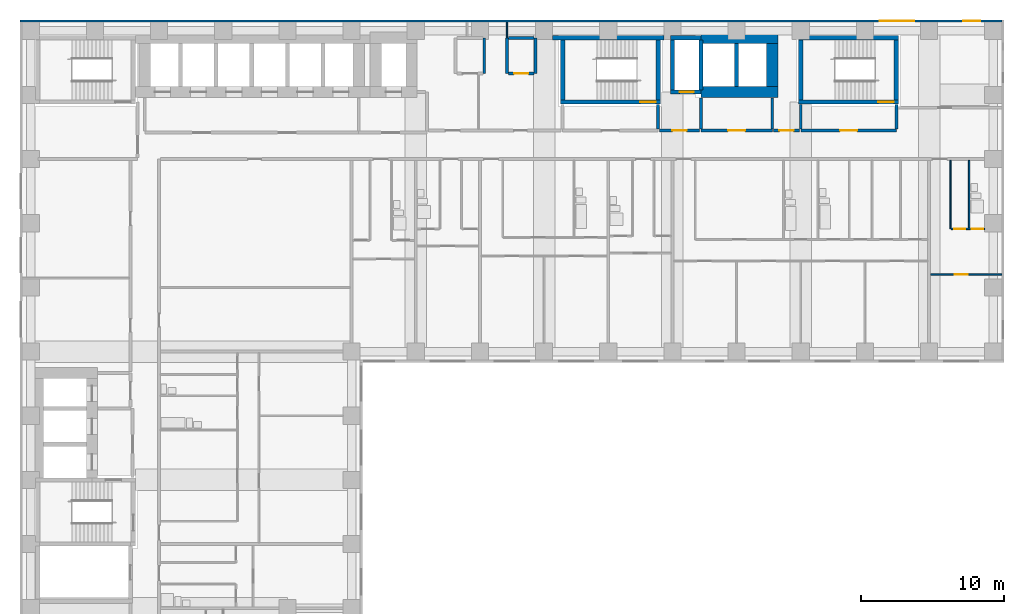
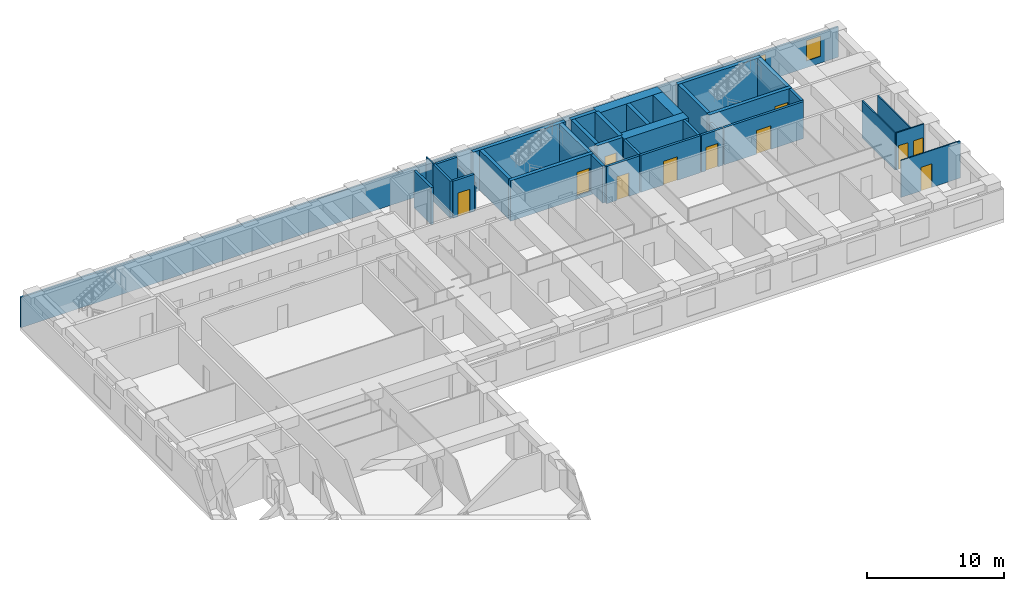
# One storey, part 8 of 12: 36 walls, 11 doors, 2 windows, 13 openings.
"""IFC4 building model written with IfcOpenShell, lengths in metres."""

from ifc_helpers import new_model, si_unit, direction, frame, frame_2d, origin, place, context, subcontext, project, spatial, rectangle, extrude, material, layer, layer_set, type_object, element, fill, save


model = new_model("IFC4")

# Units and contexts
model_context = context("Model", 3, precision=1e-05, world=origin(), true_north=direction((0.0, 1.0)))
body_context = subcontext(model_context, "Body", "Model", "MODEL_VIEW")
ifc_project = project(units=[si_unit("LENGTHUNIT", "METRE"), si_unit("AREAUNIT", "SQUARE_METRE"), si_unit("VOLUMEUNIT", "CUBIC_METRE"), si_unit("PLANEANGLEUNIT", "RADIAN"), si_unit("MASSUNIT", "GRAM", prefix="KILO")], contexts=[model_context])

# Site, building, storey
site_placement = place(None, origin())
site = spatial("IfcSite", under=ifc_project, at=site_placement, CompositionType="ELEMENT")
building_placement = place(site_placement, origin())
building = spatial("IfcBuilding", under=site, at=building_placement, Name="Firuza Court", CompositionType="ELEMENT")
storey_placement = place(building_placement, frame((0.0, 0.0, 43.39990234375)))
storey = spatial("IfcBuildingStorey", under=building, at=storey_placement, Name="L09", CompositionType="ELEMENT", Elevation=43.39990234375)

# Walls
ifc_material_1 = material(Name="Moisture-resistant gypsum board partition")
ifc_layer_1 = layer(ifc_material_1, 0.10009765625)
ifc_layer_set_1 = layer_set([ifc_layer_1], Name="Moisture-resistant gypsum board partition")
wall_type_1 = type_object("IfcWallType", Name="Bathroom partition 100", PredefinedType="PLUMBINGWALL", material=ifc_layer_set_1)
wall_1_placement = place(storey_placement, frame((65.800048828125, 44.64990234375, 0.0), z_axis=(0.0, 0.0, 1.0), x_axis=(0.0, 1.0, 0.0)))
element("IfcWall", 1, at=wall_1_placement, inside=storey, type_object=wall_type_1, Name="Bathroom partition 100 L09", PredefinedType="PLUMBINGWALL", context=body_context, shape_type="SweptSolid", body=[
    extrude(rectangle(XDim=4.75, YDim=0.10009765625, at=frame_2d((2.375, 0.0))), origin(), (0.0, 0.0, 1.0), 3.300048828125),
])
ifc_material_2 = material(Name="Concrete C60/75", Category="concrete")
ifc_layer_2 = layer(ifc_material_2, 0.300048828125)
ifc_layer_set_2 = layer_set([ifc_layer_2], Name="Concrete C60/75")
wall_type_2 = type_object("IfcWallType", Name="Core wall 300 C60/75", PredefinedType="SHEAR", material=ifc_layer_set_2)
wall_2_placement = place(storey_placement, frame((36.60009765625, 58.0, -0.2998046875), z_axis=(0.0, 0.0, 1.0), x_axis=(1.0, 0.0, 0.0)))
element("IfcWall", 2, at=wall_2_placement, inside=storey, type_object=wall_type_2, Name="Core wall stair L09", PredefinedType="SHEAR", context=body_context, shape_type="SweptSolid", body=[
    extrude(rectangle(XDim=7.7998046875, YDim=0.300048828125, at=frame_2d((3.89990234375, 0.0))), origin(), (0.0, 0.0, 1.0), 3.599853515625),
])

# Wall, opening, door
wall_3_placement = place(storey_placement, frame((37.14990234375, 53.5, -0.2998046875), z_axis=(0.0, 0.0, 1.0), x_axis=(1.0, 0.0, 0.0)))
wall_3 = element("IfcWall", 3, at=wall_3_placement, inside=storey, type_object=wall_type_2, Name="Core wall stair L09", PredefinedType="SHEAR", context=body_context, shape_type="SweptSolid", body=[
    extrude(rectangle(XDim=7.0, YDim=0.300048828125, at=frame_2d((3.5, 0.0))), origin(), (0.0, 0.0, 1.0), 3.599853515625),
])
opening_1_placement = place(wall_3_placement, frame((5.580078125, 0.0, 0.300048828125)))
opening_1 = element("IfcOpeningElement", 4, at=opening_1_placement, cuts=wall_3, Name="Opening D09013", PredefinedType="OPENING", context=body_context, shape_type="SweptSolid", body=[
    extrude(rectangle(XDim=1.10009765625, YDim=2.10009765625, at=frame_2d((0.550048828125, 1.050048828125))), frame((0.0, 0.162109375, 0.0), z_axis=(0.0, -1.0, 0.0), x_axis=(1.0, 0.0, 0.0)), (0.0, 0.0, 1.0), 0.323974609375),
])
ifc_material_3 = material(Name="Timber door leaf in hardwood frame", Category="wood")
door_type_1 = type_object("IfcDoorType", Name="Stair door 1100", OperationType="SINGLE_SWING_LEFT", PredefinedType="DOOR", material=ifc_material_3)
door_1_placement = place(opening_1_placement, origin())
door_1 = element("IfcDoor", 5, at=door_1_placement, inside=storey, type_object=door_type_1, Name="Stair door S1", OperationType="SINGLE_SWING_RIGHT", OverallHeight=2.10009765625, OverallWidth=1.10009765625, PredefinedType="DOOR", context=body_context, shape_type="SweptSolid", body=[
    extrude(rectangle(XDim=1.10009765625, YDim=2.10009765625, at=frame_2d((0.550048828125, 1.050048828125))), frame((0.0, 0.02490234375, 0.0), z_axis=(0.0, -1.0, 0.0), x_axis=(1.0, 0.0, 0.0)), (0.0, 0.0, 1.0), 0.050048828125),
])
fill(opening_1, door_1)

# Walls
for number, where, z_axis, x_axis, name in (
    (6, (37.300048828125, 53.64990234375, -0.2998046875), (0.0, 0.0, 1.0), (0.0, 1.0, 0.0), "Core wall stair L09"),
    (7, (44.0, 53.64990234375, -0.2998046875), (0.0, 0.0, 1.0), (0.0, 1.0, 0.0), "Core wall stair L09"),
):
    element("IfcWall", number, at=place(storey_placement, frame(where, z_axis=z_axis, x_axis=x_axis)), inside=storey, type_object=wall_type_2, Name=name, PredefinedType="SHEAR", context=body_context, shape_type="SweptSolid", body=[
        extrude(rectangle(XDim=4.2001953125, YDim=0.300048828125, at=frame_2d((2.10009765625, 0.0))), origin(), (0.0, 0.0, 1.0), 3.599853515625),
    ])

# Wall, opening, door
wall_4_placement = place(storey_placement, frame((44.85009765625, 54.199951171875, -0.2998046875), z_axis=(0.0, 0.0, 1.0), x_axis=(1.0, 0.0, 0.0)))
wall_4 = element("IfcWall", 8, at=wall_4_placement, inside=storey, type_object=wall_type_2, Name="Core wall riser L09", PredefinedType="SHEAR", context=body_context, shape_type="SweptSolid", body=[
    extrude(rectangle(XDim=2.14990234375, YDim=0.300048828125, at=frame_2d((1.074951171875, 0.0))), origin(), (0.0, 0.0, 1.0), 3.599853515625),
])
opening_2_placement = place(wall_4_placement, frame((0.64990234375, 0.0, 0.300048828125)))
opening_2 = element("IfcOpeningElement", 9, at=opening_2_placement, cuts=wall_4, Name="Opening D09011", PredefinedType="OPENING", context=body_context, shape_type="SweptSolid", body=[
    extrude(rectangle(XDim=1.0, YDim=2.10009765625, at=frame_2d((0.5, 1.050048828125))), frame((0.0, 0.162109375, 0.0), z_axis=(0.0, -1.0, 0.0), x_axis=(1.0, 0.0, 0.0)), (0.0, 0.0, 1.0), 0.323974609375),
])
ifc_material_4 = material(Name="Timber door leaf in hardwood frame", Category="wood")
door_type_2 = type_object("IfcDoorType", Name="Riser door 1000", OperationType="SINGLE_SWING_LEFT", PredefinedType="DOOR", material=ifc_material_4)
door_2_placement = place(opening_2_placement, origin())
door_2 = element("IfcDoor", 10, at=door_2_placement, inside=storey, type_object=door_type_2, Name="Riser door R3", OperationType="SINGLE_SWING_LEFT", OverallHeight=2.10009765625, OverallWidth=1.0, PredefinedType="DOOR", context=body_context, shape_type="SweptSolid", body=[
    extrude(rectangle(XDim=1.0, YDim=2.10009765625, at=frame_2d((0.5, 1.050048828125))), frame((0.0, 0.02490234375, 0.0), z_axis=(0.0, -1.0, 0.0), x_axis=(1.0, 0.0, 0.0)), (0.0, 0.0, 1.0), 0.050048828125),
])
fill(opening_2, door_2)

# Walls
wall_5_placement = place(storey_placement, frame((44.85009765625, 58.0, -0.2998046875), z_axis=(0.0, 0.0, 1.0), x_axis=(1.0, 0.0, 0.0)))
element("IfcWall", 11, at=wall_5_placement, inside=storey, type_object=wall_type_2, Name="Core wall riser L09", PredefinedType="SHEAR", context=body_context, shape_type="SweptSolid", body=[
    extrude(rectangle(XDim=2.14990234375, YDim=0.300048828125, at=frame_2d((1.074951171875, 0.0))), origin(), (0.0, 0.0, 1.0), 3.599853515625),
])
for number, where, z_axis, x_axis, name in (
    (12, (45.0, 54.35009765625, -0.2998046875), (0.0, 0.0, 1.0), (0.0, 1.0, 0.0), "Core wall riser L09"),
    (13, (47.0, 54.35009765625, -0.2998046875), (0.0, 0.0, 1.0), (0.0, 1.0, 0.0), "Core wall lift shaft L09"),
):
    element("IfcWall", number, at=place(storey_placement, frame(where, z_axis=z_axis, x_axis=x_axis)), inside=storey, type_object=wall_type_2, Name=name, PredefinedType="SHEAR", context=body_context, shape_type="SweptSolid", body=[
        extrude(rectangle(XDim=3.5, YDim=0.300048828125, at=frame_2d((1.75, 0.0))), origin(), (0.0, 0.0, 1.0), 3.599853515625),
    ])
wall_6_placement = place(storey_placement, frame((49.5, 54.60009765625, -0.2998046875), z_axis=(0.0, 0.0, 1.0), x_axis=(0.0, 1.0, 0.0)))
element("IfcWall", 14, at=wall_6_placement, inside=storey, type_object=wall_type_2, Name="Core wall lift shaft L09", PredefinedType="SHEAR", context=body_context, shape_type="SweptSolid", body=[
    extrude(rectangle(XDim=3.0, YDim=0.300048828125, at=frame_2d((1.5, 0.0))), origin(), (0.0, 0.0, 1.0), 3.599853515625),
])

# Wall, opening, door
wall_7_placement = place(storey_placement, frame((53.85009765625, 53.5, -0.2998046875), z_axis=(0.0, 0.0, 1.0), x_axis=(1.0, 0.0, 0.0)))
wall_7 = element("IfcWall", 15, at=wall_7_placement, inside=storey, type_object=wall_type_2, Name="Core wall stair L09", PredefinedType="SHEAR", context=body_context, shape_type="SweptSolid", body=[
    extrude(rectangle(XDim=7.0, YDim=0.300048828125, at=frame_2d((3.5, 0.0))), origin(), (0.0, 0.0, 1.0), 3.599853515625),
])
opening_3_placement = place(wall_7_placement, frame((5.580078125, 0.0, 0.300048828125)))
opening_3 = element("IfcOpeningElement", 16, at=opening_3_placement, cuts=wall_7, Name="Opening D09017", PredefinedType="OPENING", context=body_context, shape_type="SweptSolid", body=[
    extrude(rectangle(XDim=1.10009765625, YDim=2.10009765625, at=frame_2d((0.550048828125, 1.050048828125))), frame((0.0, 0.162109375, 0.0), z_axis=(0.0, -1.0, 0.0), x_axis=(1.0, 0.0, 0.0)), (0.0, 0.0, 1.0), 0.323974609375),
])
door_3_placement = place(opening_3_placement, origin())
door_3 = element("IfcDoor", 17, at=door_3_placement, inside=storey, type_object=door_type_1, Name="Stair door S4", OperationType="SINGLE_SWING_RIGHT", OverallHeight=2.10009765625, OverallWidth=1.10009765625, PredefinedType="DOOR", context=body_context, shape_type="SweptSolid", body=[
    extrude(rectangle(XDim=1.10009765625, YDim=2.10009765625, at=frame_2d((0.550048828125, 1.050048828125))), frame((0.0, 0.02490234375, 0.0), z_axis=(0.0, -1.0, 0.0), x_axis=(1.0, 0.0, 0.0)), (0.0, 0.0, 1.0), 0.050048828125),
])
fill(opening_3, door_3)

# Walls
wall_8_placement = place(storey_placement, frame((53.85009765625, 58.0, -0.2998046875), z_axis=(0.0, 0.0, 1.0), x_axis=(1.0, 0.0, 0.0)))
element("IfcWall", 18, at=wall_8_placement, inside=storey, type_object=wall_type_2, Name="Core wall stair L09", PredefinedType="SHEAR", context=body_context, shape_type="SweptSolid", body=[
    extrude(rectangle(XDim=7.0, YDim=0.300048828125, at=frame_2d((3.5, 0.0))), origin(), (0.0, 0.0, 1.0), 3.599853515625),
])
for number, where, z_axis, x_axis, name in (
    (19, (54.0, 53.64990234375, -0.2998046875), (0.0, 0.0, 1.0), (0.0, 1.0, 0.0), "Core wall stair L09"),
    (20, (60.699951171875, 53.64990234375, -0.2998046875), (0.0, 0.0, 1.0), (0.0, 1.0, 0.0), "Core wall stair L09"),
):
    element("IfcWall", number, at=place(storey_placement, frame(where, z_axis=z_axis, x_axis=x_axis)), inside=storey, type_object=wall_type_2, Name=name, PredefinedType="SHEAR", context=body_context, shape_type="SweptSolid", body=[
        extrude(rectangle(XDim=4.2001953125, YDim=0.300048828125, at=frame_2d((2.10009765625, 0.0))), origin(), (0.0, 0.0, 1.0), 3.599853515625),
    ])
ifc_layer_3 = layer(ifc_material_2, 0.800048828125)
ifc_layer_set_3 = layer_set([ifc_layer_3], Name="Concrete C60/75")
wall_type_3 = type_object("IfcWallType", Name="Core wall 800 C60/75", PredefinedType="SHEAR", material=ifc_layer_set_3)
for number, where, z_axis, x_axis, name in (
    (21, (47.0, 54.199951171875, -0.2998046875), (0.0, 0.0, 1.0), (1.0, 0.0, 0.0), "Core wall lift shaft L09"),
    (22, (47.0, 58.0, -0.2998046875), (0.0, 0.0, 1.0), (1.0, 0.0, 0.0), "Core wall lift shaft L09"),
):
    element("IfcWall", number, at=place(storey_placement, frame(where, z_axis=z_axis, x_axis=x_axis)), inside=storey, type_object=wall_type_3, Name=name, PredefinedType="SHEAR", context=body_context, shape_type="SweptSolid", body=[
        extrude(rectangle(XDim=5.39990234375, YDim=0.800048828125, at=frame_2d((2.699951171875, 0.0))), origin(), (0.0, 0.0, 1.0), 3.599853515625),
    ])
wall_9_placement = place(storey_placement, frame((52.0, 54.60009765625, -0.2998046875), z_axis=(0.0, 0.0, 1.0), x_axis=(0.0, 1.0, 0.0)))
element("IfcWall", 23, at=wall_9_placement, inside=storey, type_object=wall_type_3, Name="Core wall lift shaft L09", PredefinedType="SHEAR", context=body_context, shape_type="SweptSolid", body=[
    extrude(rectangle(XDim=3.0, YDim=0.800048828125, at=frame_2d((1.5, 0.0))), origin(), (0.0, 0.0, 1.0), 3.599853515625),
])

# Wall, opening, door
ifc_material_5 = material(Name="Blockwork, plastered both sides", Category="masonry")
ifc_layer_4 = layer(ifc_material_5, 0.199951171875)
ifc_layer_set_4 = layer_set([ifc_layer_4], Name="Blockwork, plastered both sides")
wall_type_4 = type_object("IfcWallType", Name="Corridor wall 200", PredefinedType="PARTITIONING", material=ifc_layer_set_4)
wall_10_placement = place(storey_placement, frame((44.10009765625, 51.5, 0.0), z_axis=(0.0, 0.0, 1.0), x_axis=(1.0, 0.0, 0.0)))
wall_10 = element("IfcWall", 24, at=wall_10_placement, inside=storey, type_object=wall_type_4, Name="Corridor wall 200 L09", PredefinedType="PARTITIONING", context=body_context, shape_type="SweptSolid", body=[
    extrude(rectangle(XDim=2.7998046875, YDim=0.199951171875, at=frame_2d((1.39990234375, 0.0))), origin(), (0.0, 0.0, 1.0), 3.300048828125),
])
opening_4_placement = place(wall_10_placement, frame((0.89990234375, 0.0, 0.0)))
opening_4 = element("IfcOpeningElement", 25, at=opening_4_placement, cuts=wall_10, Name="Opening D09078", PredefinedType="OPENING", context=body_context, shape_type="SweptSolid", body=[
    extrude(rectangle(XDim=1.0, YDim=2.10009765625, at=frame_2d((0.5, 1.050048828125))), frame((0.0, 0.11181640625, 0.0), z_axis=(0.0, -1.0, 0.0), x_axis=(1.0, 0.0, 0.0)), (0.0, 0.0, 1.0), 0.223876953125),
])
ifc_material_6 = material(Name="Timber door leaf in hardwood frame", Category="wood")
door_type_3 = type_object("IfcDoorType", Name="Store door 1000", OperationType="SINGLE_SWING_LEFT", PredefinedType="DOOR", material=ifc_material_6)
door_4_placement = place(opening_4_placement, origin())
door_4 = element("IfcDoor", 26, at=door_4_placement, inside=storey, type_object=door_type_3, Name="Valet store door", OperationType="SINGLE_SWING_LEFT", OverallHeight=2.10009765625, OverallWidth=1.0, PredefinedType="DOOR", context=body_context, shape_type="SweptSolid", body=[
    extrude(rectangle(XDim=1.0, YDim=2.10009765625, at=frame_2d((0.5, 1.050048828125))), frame((0.0, 0.02490234375, 0.0), z_axis=(0.0, -1.0, 0.0), x_axis=(1.0, 0.0, 0.0)), (0.0, 0.0, 1.0), 0.050048828125),
])
fill(opening_4, door_4)

wall_11_placement = place(storey_placement, frame((52.10009765625, 51.5, 0.0), z_axis=(0.0, 0.0, 1.0), x_axis=(1.0, 0.0, 0.0)))
wall_11 = element("IfcWall", 27, at=wall_11_placement, inside=storey, type_object=wall_type_4, Name="Corridor wall 200 L09", PredefinedType="PARTITIONING", context=body_context, shape_type="SweptSolid", body=[
    extrude(rectangle(XDim=1.7998046875, YDim=0.199951171875, at=frame_2d((0.89990234375, 0.0))), origin(), (0.0, 0.0, 1.0), 3.300048828125),
])
opening_5_placement = place(wall_11_placement, frame((0.39990234375, 0.0, 0.0)))
opening_5 = element("IfcOpeningElement", 28, at=opening_5_placement, cuts=wall_11, Name="Opening D09079", PredefinedType="OPENING", context=body_context, shape_type="SweptSolid", body=[
    extrude(rectangle(XDim=1.0, YDim=2.10009765625, at=frame_2d((0.5, 1.050048828125))), frame((0.0, 0.11181640625, 0.0), z_axis=(0.0, -1.0, 0.0), x_axis=(1.0, 0.0, 0.0)), (0.0, 0.0, 1.0), 0.223876953125),
])
door_5_placement = place(opening_5_placement, origin())
door_5 = element("IfcDoor", 29, at=door_5_placement, inside=storey, type_object=door_type_3, Name="Cleaner's store door", OperationType="SINGLE_SWING_LEFT", OverallHeight=2.10009765625, OverallWidth=1.0, PredefinedType="DOOR", context=body_context, shape_type="SweptSolid", body=[
    extrude(rectangle(XDim=1.0, YDim=2.10009765625, at=frame_2d((0.5, 1.050048828125))), frame((0.0, 0.02490234375, 0.0), z_axis=(0.0, -1.0, 0.0), x_axis=(1.0, 0.0, 0.0)), (0.0, 0.0, 1.0), 0.050048828125),
])
fill(opening_5, door_5)

ifc_material_7 = material(Name="Timber stud partition, plasterboard both sides", Category="wood")
ifc_layer_5 = layer(ifc_material_7, 0.10009765625)
ifc_layer_set_5 = layer_set([ifc_layer_5], Name="Timber stud partition, plasterboard both sides")
wall_type_5 = type_object("IfcWallType", Name="Partition wall 100", PredefinedType="PARTITIONING", material=ifc_layer_set_5)
wall_12_placement = place(storey_placement, frame((63.10009765625, 41.39990234375, 0.0), z_axis=(0.0, 0.0, 1.0), x_axis=(1.0, 0.0, 0.0)))
wall_12 = element("IfcWall", 30, at=wall_12_placement, inside=storey, type_object=wall_type_5, Name="Partition wall 100 L09", PredefinedType="PARTITIONING", context=body_context, shape_type="SweptSolid", body=[
    extrude(rectangle(XDim=5.0, YDim=0.10009765625, at=frame_2d((2.5, 0.0))), origin(), (0.0, 0.0, 1.0), 3.300048828125),
])
opening_6_placement = place(wall_12_placement, frame((1.699951171875, 0.0, 0.0)))
opening_6 = element("IfcOpeningElement", 31, at=opening_6_placement, cuts=wall_12, Name="Opening D09043", PredefinedType="OPENING", context=body_context, shape_type="SweptSolid", body=[
    extrude(rectangle(XDim=0.89990234375, YDim=2.10009765625, at=frame_2d((0.449951171875, 1.050048828125))), frame((0.0, 0.06201171875, 0.0), z_axis=(0.0, -1.0, 0.0), x_axis=(1.0, 0.0, 0.0)), (0.0, 0.0, 1.0), 0.1240234375),
])
ifc_material_8 = material(Name="Timber door leaf in hardwood frame", Category="wood")
door_type_4 = type_object("IfcDoorType", Name="Room door 900", OperationType="SINGLE_SWING_LEFT", PredefinedType="DOOR", material=ifc_material_8)
door_6_placement = place(opening_6_placement, frame((0.89990234375, 0.0, 0.0), z_axis=(0.0, 0.0, 1.0), x_axis=(-1.0, 0.0, 0.0)))
door_6 = element("IfcDoor", 32, at=door_6_placement, inside=storey, type_object=door_type_4, Name="Studio room door", OperationType="SINGLE_SWING_RIGHT", OverallHeight=2.10009765625, OverallWidth=0.89990234375, PredefinedType="DOOR", context=body_context, shape_type="SweptSolid", body=[
    extrude(rectangle(XDim=0.89990234375, YDim=2.10009765625, at=frame_2d((0.449951171875, 1.050048828125))), frame((0.0, 0.02490234375, 0.0), z_axis=(0.0, -1.0, 0.0), x_axis=(1.0, 0.0, 0.0)), (0.0, 0.0, 1.0), 0.050048828125),
])
fill(opening_6, door_6)

# Wall
wall_13_placement = place(storey_placement, frame((64.5, 44.60009765625, 0.0), z_axis=(0.0, 0.0, 1.0), x_axis=(0.0, 1.0, 0.0)))
element("IfcWall", 33, at=wall_13_placement, inside=storey, type_object=wall_type_5, Name="Partition wall 100 L09", PredefinedType="PARTITIONING", context=body_context, shape_type="SweptSolid", body=[
    extrude(rectangle(XDim=4.7998046875, YDim=0.10009765625, at=frame_2d((2.39990234375, 0.0))), origin(), (0.0, 0.0, 1.0), 3.300048828125),
])

# Wall, openings, doors
wall_14_placement = place(storey_placement, frame((64.550048828125, 44.60009765625, 0.0), z_axis=(0.0, 0.0, 1.0), x_axis=(1.0, 0.0, 0.0)))
wall_14 = element("IfcWall", 34, at=wall_14_placement, inside=storey, type_object=wall_type_5, Name="Partition wall 100 L09", PredefinedType="PARTITIONING", context=body_context, shape_type="SweptSolid", body=[
    extrude(rectangle(XDim=2.349853515625, YDim=0.10009765625, at=frame_2d((1.1748046875, 0.0))), origin(), (0.0, 0.0, 1.0), 3.300048828125),
])
opening_7_placement = place(wall_14_placement, frame((1.449951171875, 0.0, 0.0)))
opening_7 = element("IfcOpeningElement", 35, at=opening_7_placement, cuts=wall_14, Name="Opening D09067", PredefinedType="OPENING", context=body_context, shape_type="SweptSolid", body=[
    extrude(rectangle(XDim=0.800048828125, YDim=2.10009765625, at=frame_2d((0.39990234375, 1.050048828125))), frame((0.0, 0.06201171875, 0.0), z_axis=(0.0, -1.0, 0.0), x_axis=(1.0, 0.0, 0.0)), (0.0, 0.0, 1.0), 0.1240234375),
])
opening_8_placement = place(wall_14_placement, frame((0.199951171875, 0.0, 0.0)))
opening_8 = element("IfcOpeningElement", 36, at=opening_8_placement, cuts=wall_14, Name="Opening D09068", PredefinedType="OPENING", context=body_context, shape_type="SweptSolid", body=[
    extrude(rectangle(XDim=0.800048828125, YDim=2.10009765625, at=frame_2d((0.39990234375, 1.050048828125))), frame((0.0, 0.06201171875, 0.0), z_axis=(0.0, -1.0, 0.0), x_axis=(1.0, 0.0, 0.0)), (0.0, 0.0, 1.0), 0.1240234375),
])
ifc_material_9 = material(Name="Timber door leaf in hardwood frame", Category="wood")
door_type_5 = type_object("IfcDoorType", Name="Bathroom door 800", OperationType="SINGLE_SWING_LEFT", PredefinedType="DOOR", material=ifc_material_9)
door_7_placement = place(opening_7_placement, origin())
door_7 = element("IfcDoor", 37, at=door_7_placement, inside=storey, type_object=door_type_5, Name="Bathroom door", OperationType="SINGLE_SWING_RIGHT", OverallHeight=2.10009765625, OverallWidth=0.800048828125, PredefinedType="DOOR", context=body_context, shape_type="SweptSolid", body=[
    extrude(rectangle(XDim=0.800048828125, YDim=2.10009765625, at=frame_2d((0.39990234375, 1.050048828125))), frame((0.0, 0.02490234375, 0.0), z_axis=(0.0, -1.0, 0.0), x_axis=(1.0, 0.0, 0.0)), (0.0, 0.0, 1.0), 0.050048828125),
])
fill(opening_7, door_7)
ifc_material_10 = material(Name="Timber door leaf in hardwood frame", Category="wood")
door_type_6 = type_object("IfcDoorType", Name="Room door 800", OperationType="SINGLE_SWING_LEFT", PredefinedType="DOOR", material=ifc_material_10)
door_8_placement = place(opening_8_placement, origin())
door_8 = element("IfcDoor", 38, at=door_8_placement, inside=storey, type_object=door_type_6, Name="Kitchen door", OperationType="SINGLE_SWING_LEFT", OverallHeight=2.10009765625, OverallWidth=0.800048828125, PredefinedType="DOOR", context=body_context, shape_type="SweptSolid", body=[
    extrude(rectangle(XDim=0.800048828125, YDim=2.10009765625, at=frame_2d((0.39990234375, 1.050048828125))), frame((0.0, 0.02490234375, 0.0), z_axis=(0.0, -1.0, 0.0), x_axis=(1.0, 0.0, 0.0)), (0.0, 0.0, 1.0), 0.050048828125),
])
fill(opening_8, door_8)

# Walls
wall_15_placement = place(storey_placement, frame((33.39990234375, 58.0, 0.0), z_axis=(0.0, 0.0, 1.0), x_axis=(0.0, 1.0, 0.0)))
element("IfcWall", 39, at=wall_15_placement, inside=storey, type_object=wall_type_5, Name="Partition wall 100 L09", PredefinedType="PARTITIONING", context=body_context, shape_type="SweptSolid", body=[
    extrude(rectangle(XDim=1.10009765625, YDim=0.10009765625, at=frame_2d((0.550048828125, 0.0))), origin(), (0.0, 0.0, 1.0), 3.300048828125),
])
ifc_material_11 = material(Name="Blockwork, fire-rated", Category="masonry")
ifc_layer_6 = layer(ifc_material_11, 0.199951171875)
ifc_layer_set_6 = layer_set([ifc_layer_6], Name="Blockwork, fire-rated")
wall_type_6 = type_object("IfcWallType", Name="Plant room wall 200", PredefinedType="PARTITIONING", material=ifc_layer_set_6)
for number, where, z_axis, x_axis, name in (
    (40, (31.800048828125, 55.5, 0.0), (0.0, 0.0, 1.0), (0.0, 1.0, 0.0), "Plant room wall 200 L09"),
    (41, (33.39990234375, 55.5, 0.0), (0.0, 0.0, 1.0), (0.0, 1.0, 0.0), "Plant room wall 200 L09"),
):
    element("IfcWall", number, at=place(storey_placement, frame(where, z_axis=z_axis, x_axis=x_axis)), inside=storey, type_object=wall_type_6, Name=name, PredefinedType="PARTITIONING", context=body_context, shape_type="SweptSolid", body=[
        extrude(rectangle(XDim=2.5, YDim=0.199951171875, at=frame_2d((1.25, 0.0))), origin(), (0.0, 0.0, 1.0), 3.300048828125),
    ])

# Wall, opening, door
wall_16_placement = place(storey_placement, frame((33.5, 55.5, 0.0), z_axis=(0.0, 0.0, 1.0), x_axis=(1.0, 0.0, 0.0)))
wall_16 = element("IfcWall", 42, at=wall_16_placement, inside=storey, type_object=wall_type_6, Name="Plant room wall 200 L09", PredefinedType="PARTITIONING", context=body_context, shape_type="SweptSolid", body=[
    extrude(rectangle(XDim=1.800048828125, YDim=0.199951171875, at=frame_2d((0.89990234375, 0.0))), origin(), (0.0, 0.0, 1.0), 3.300048828125),
])
opening_9_placement = place(wall_16_placement, frame((0.39990234375, 0.0, 0.0)))
opening_9 = element("IfcOpeningElement", 43, at=opening_9_placement, cuts=wall_16, Name="Opening D09082", PredefinedType="OPENING", context=body_context, shape_type="SweptSolid", body=[
    extrude(rectangle(XDim=1.0, YDim=2.10009765625, at=frame_2d((0.5, 1.050048828125))), frame((0.0, 0.11181640625, 0.0), z_axis=(0.0, -1.0, 0.0), x_axis=(1.0, 0.0, 0.0)), (0.0, 0.0, 1.0), 0.223876953125),
])
door_9_placement = place(opening_9_placement, origin())
door_9 = element("IfcDoor", 44, at=door_9_placement, inside=storey, type_object=door_type_2, Name="Duct riser door", OperationType="SINGLE_SWING_LEFT", OverallHeight=2.10009765625, OverallWidth=1.0, PredefinedType="DOOR", context=body_context, shape_type="SweptSolid", body=[
    extrude(rectangle(XDim=1.0, YDim=2.10009765625, at=frame_2d((0.5, 1.050048828125))), frame((0.0, 0.02490234375, 0.0), z_axis=(0.0, -1.0, 0.0), x_axis=(1.0, 0.0, 0.0)), (0.0, 0.0, 1.0), 0.050048828125),
])
fill(opening_9, door_9)

# Walls
wall_17_placement = place(storey_placement, frame((35.39990234375, 55.5, 0.0), z_axis=(0.0, 0.0, 1.0), x_axis=(0.0, 1.0, 0.0)))
element("IfcWall", 45, at=wall_17_placement, inside=storey, type_object=wall_type_6, Name="Plant room wall 200 L09", PredefinedType="PARTITIONING", context=body_context, shape_type="SweptSolid", body=[
    extrude(rectangle(XDim=2.5, YDim=0.199951171875, at=frame_2d((1.25, 0.0))), origin(), (0.0, 0.0, 1.0), 2.400146484375),
])
wall_18_placement = place(storey_placement, frame((33.5, 58.0, 0.0), z_axis=(0.0, 0.0, 1.0), x_axis=(1.0, 0.0, 0.0)))
element("IfcWall", 46, at=wall_18_placement, inside=storey, type_object=wall_type_6, Name="Plant room wall 200 L09", PredefinedType="PARTITIONING", context=body_context, shape_type="SweptSolid", body=[
    extrude(rectangle(XDim=1.800048828125, YDim=0.199951171875, at=frame_2d((0.89990234375, 0.0))), origin(), (0.0, 0.0, 1.0), 3.300048828125),
])

# Wall, openings, windows
ifc_material_12 = material(Name="Ceramic tile", Category="ceramic")
ifc_layer_7 = layer(ifc_material_12, 0.02001953125)
ifc_material_13 = material(Name="Mineral wool insulation", Category="insulation")
ifc_layer_8 = layer(ifc_material_13, 0.050048828125)
ifc_material_14 = material(Name="Concrete C40/50 precast", Category="concrete")
ifc_layer_9 = layer(ifc_material_14, 0.080078125)
ifc_layer_set_7 = layer_set([ifc_layer_7, ifc_layer_8, ifc_layer_9], Name="Concrete C40/50 precast")
wall_type_7 = type_object("IfcWallType", Name="Precast cladding wall with turquoise TILE PANEL face 150", PredefinedType="STANDARD", material=ifc_layer_set_7)
wall_19_placement = place(storey_placement, frame((68.10009765625, 59.175048828125, 0.0), z_axis=(0.0, 0.0, 1.0), x_axis=(-1.0, 0.0, 0.0)))
wall_19 = element("IfcWall", 47, at=wall_19_placement, inside=storey, type_object=wall_type_7, Name="Facade wall L09 N", PredefinedType="STANDARD", context=body_context, shape_type="SweptSolid", body=[
    extrude(rectangle(XDim=68.85009765625, YDim=0.14990234375, at=frame_2d((34.425048828125, 0.0))), origin(), (0.0, 0.0, 1.0), 2.7001953125),
])
opening_10_placement = place(wall_19_placement, frame((1.523193359375, 0.0, 0.60009765625)))
opening_10 = element("IfcOpeningElement", 48, at=opening_10_placement, cuts=wall_19, Name="Opening W8", PredefinedType="OPENING", context=body_context, shape_type="SweptSolid", body=[
    extrude(rectangle(XDim=1.199951171875, YDim=1.800048828125, at=frame_2d((0.60009765625, 0.89990234375))), frame((0.0, 0.0869140625, 0.0), z_axis=(0.0, -1.0, 0.0), x_axis=(1.0, 0.0, 0.0)), (0.0, 0.0, 1.0), 0.173828125),
])
opening_11_placement = place(wall_19_placement, frame((6.14990234375, 0.0, 0.60009765625)))
opening_11 = element("IfcOpeningElement", 49, at=opening_11_placement, cuts=wall_19, Name="Opening W1", PredefinedType="OPENING", context=body_context, shape_type="SweptSolid", body=[
    extrude(rectangle(XDim=2.39990234375, YDim=1.800048828125, at=frame_2d((1.199951171875, 0.89990234375))), frame((0.0, 0.0869140625, 0.0), z_axis=(0.0, -1.0, 0.0), x_axis=(1.0, 0.0, 0.0)), (0.0, 0.0, 1.0), 0.173828125),
])
ifc_material_15 = material(Name="Aluminium frame, triple clear glazing", Category="aluminium")
window_type_1 = type_object("IfcWindowType", Name="Window W1 2400 x 1800", PartitioningType="SINGLE_PANEL", PredefinedType="WINDOW", material=ifc_material_15)
window_1_placement = place(opening_11_placement, origin())
window_1 = element("IfcWindow", 50, at=window_1_placement, inside=storey, type_object=window_type_1, Name="Window L09", OverallHeight=1.800048828125, OverallWidth=2.39990234375, PartitioningType="SINGLE_PANEL", PredefinedType="WINDOW", context=body_context, shape_type="SweptSolid", body=[
    extrude(rectangle(XDim=2.39990234375, YDim=1.800048828125, at=frame_2d((1.199951171875, 0.89990234375))), frame((0.0, 0.030029296875, 0.0), z_axis=(0.0, -1.0, 0.0), x_axis=(1.0, 0.0, 0.0)), (0.0, 0.0, 1.0), 0.06005859375),
])
fill(opening_11, window_1)
ifc_material_16 = material(Name="Aluminium frame, triple clear glazing", Category="aluminium")
window_type_2 = type_object("IfcWindowType", Name="Window W8 1200 x 1800", PartitioningType="SINGLE_PANEL", PredefinedType="WINDOW", material=ifc_material_16)
window_2_placement = place(opening_10_placement, origin())
window_2 = element("IfcWindow", 51, at=window_2_placement, inside=storey, type_object=window_type_2, Name="Window L09", OverallHeight=1.800048828125, OverallWidth=1.199951171875, PartitioningType="SINGLE_PANEL", PredefinedType="WINDOW", context=body_context, shape_type="SweptSolid", body=[
    extrude(rectangle(XDim=1.199951171875, YDim=1.800048828125, at=frame_2d((0.60009765625, 0.89990234375))), frame((0.0, 0.030029296875, 0.0), z_axis=(0.0, -1.0, 0.0), x_axis=(1.0, 0.0, 0.0)), (0.0, 0.0, 1.0), 0.06005859375),
])
fill(opening_10, window_2)

# Wall, opening, door
ifc_layer_10 = layer(ifc_material_11, 0.199951171875)
ifc_layer_set_8 = layer_set([ifc_layer_10], Name="Blockwork, fire-rated")
wall_type_8 = type_object("IfcWallType", Name="Shaft wall 200", PredefinedType="PARTITIONING", material=ifc_layer_set_8)
wall_20_placement = place(storey_placement, frame((47.0, 51.5, 0.0), z_axis=(0.0, 0.0, 1.0), x_axis=(1.0, 0.0, 0.0)))
wall_20 = element("IfcWall", 52, at=wall_20_placement, inside=storey, type_object=wall_type_8, Name="Shaft wall 200 L09", PredefinedType="PARTITIONING", context=body_context, shape_type="SweptSolid", body=[
    extrude(rectangle(XDim=5.0, YDim=0.199951171875, at=frame_2d((2.5, 0.0))), origin(), (0.0, 0.0, 1.0), 3.300048828125),
])
opening_12_placement = place(wall_20_placement, frame((1.89990234375, 0.0, 0.0)))
opening_12 = element("IfcOpeningElement", 53, at=opening_12_placement, cuts=wall_20, Name="Opening D09009", PredefinedType="OPENING", context=body_context, shape_type="SweptSolid", body=[
    extrude(rectangle(XDim=1.199951171875, YDim=2.10009765625, at=frame_2d((0.60009765625, 1.050048828125))), frame((0.0, 0.11181640625, 0.0), z_axis=(0.0, -1.0, 0.0), x_axis=(1.0, 0.0, 0.0)), (0.0, 0.0, 1.0), 0.223876953125),
])
ifc_material_17 = material(Name="Timber door leaf in hardwood frame", Category="wood")
door_type_7 = type_object("IfcDoorType", Name="Lobby door 1200", OperationType="SINGLE_SWING_LEFT", PredefinedType="DOOR", material=ifc_material_17)
door_10_placement = place(opening_12_placement, origin())
door_10 = element("IfcDoor", 54, at=door_10_placement, inside=storey, type_object=door_type_7, Name="Lobby door", OperationType="SINGLE_SWING_LEFT", OverallHeight=2.10009765625, OverallWidth=1.199951171875, PredefinedType="DOOR", context=body_context, shape_type="SweptSolid", body=[
    extrude(rectangle(XDim=1.199951171875, YDim=2.10009765625, at=frame_2d((0.60009765625, 1.050048828125))), frame((0.0, 0.02490234375, 0.0), z_axis=(0.0, -1.0, 0.0), x_axis=(1.0, 0.0, 0.0)), (0.0, 0.0, 1.0), 0.050048828125),
])
fill(opening_12, door_10)

# Walls
for number, where, z_axis, x_axis, name in (
    (55, (52.0, 51.60009765625, 0.0), (0.0, 0.0, 1.0), (0.0, 1.0, 0.0), "Shaft wall 200 L09"),
    (56, (47.0, 51.60009765625, 0.0), (0.0, 0.0, 1.0), (0.0, 1.0, 0.0), "Shaft wall 200 L09"),
):
    element("IfcWall", number, at=place(storey_placement, frame(where, z_axis=z_axis, x_axis=x_axis)), inside=storey, type_object=wall_type_8, Name=name, PredefinedType="PARTITIONING", context=body_context, shape_type="SweptSolid", body=[
        extrude(rectangle(XDim=2.179931640625, YDim=0.199951171875, at=frame_2d((1.08984375, 0.0))), origin(), (0.0, 0.0, 1.0), 3.300048828125),
    ])
wall_21_placement = place(storey_placement, frame((44.0, 51.60009765625, 0.0), z_axis=(0.0, 0.0, 1.0), x_axis=(0.0, 1.0, 0.0)))
element("IfcWall", 57, at=wall_21_placement, inside=storey, type_object=wall_type_8, Name="Shaft wall 200 L09", PredefinedType="PARTITIONING", context=body_context, shape_type="SweptSolid", body=[
    extrude(rectangle(XDim=1.72998046875, YDim=0.199951171875, at=frame_2d((0.864990234375, 0.0))), origin(), (0.0, 0.0, 1.0), 3.300048828125),
])

# Wall, opening, door
wall_22_placement = place(storey_placement, frame((54.0, 51.5, 0.0), z_axis=(0.0, 0.0, 1.0), x_axis=(1.0, 0.0, 0.0)))
wall_22 = element("IfcWall", 58, at=wall_22_placement, inside=storey, type_object=wall_type_8, Name="Shaft wall 200 L09", PredefinedType="PARTITIONING", context=body_context, shape_type="SweptSolid", body=[
    extrude(rectangle(XDim=6.699951171875, YDim=0.199951171875, at=frame_2d((3.35009765625, 0.0))), origin(), (0.0, 0.0, 1.0), 3.300048828125),
])
opening_13_placement = place(wall_22_placement, frame((2.75, 0.0, 0.0)))
opening_13 = element("IfcOpeningElement", 59, at=opening_13_placement, cuts=wall_22, Name="Opening D09007", PredefinedType="OPENING", context=body_context, shape_type="SweptSolid", body=[
    extrude(rectangle(XDim=1.199951171875, YDim=2.10009765625, at=frame_2d((0.60009765625, 1.050048828125))), frame((0.0, 0.11181640625, 0.0), z_axis=(0.0, -1.0, 0.0), x_axis=(1.0, 0.0, 0.0)), (0.0, 0.0, 1.0), 0.223876953125),
])
door_11_placement = place(opening_13_placement, origin())
door_11 = element("IfcDoor", 60, at=door_11_placement, inside=storey, type_object=door_type_7, Name="Lobby door", OperationType="SINGLE_SWING_LEFT", OverallHeight=2.10009765625, OverallWidth=1.199951171875, PredefinedType="DOOR", context=body_context, shape_type="SweptSolid", body=[
    extrude(rectangle(XDim=1.199951171875, YDim=2.10009765625, at=frame_2d((0.60009765625, 1.050048828125))), frame((0.0, 0.02490234375, 0.0), z_axis=(0.0, -1.0, 0.0), x_axis=(1.0, 0.0, 0.0)), (0.0, 0.0, 1.0), 0.050048828125),
])
fill(opening_13, door_11)

# Walls
wall_23_placement = place(storey_placement, frame((60.699951171875, 51.60009765625, 0.0), z_axis=(0.0, 0.0, 1.0), x_axis=(0.0, 1.0, 0.0)))
element("IfcWall", 61, at=wall_23_placement, inside=storey, type_object=wall_type_8, Name="Shaft wall 200 L09", PredefinedType="PARTITIONING", context=body_context, shape_type="SweptSolid", body=[
    extrude(rectangle(XDim=1.72998046875, YDim=0.199951171875, at=frame_2d((0.864990234375, 0.0))), origin(), (0.0, 0.0, 1.0), 3.300048828125),
])
wall_24_placement = place(storey_placement, frame((54.0, 51.60009765625, 0.0), z_axis=(0.0, 0.0, 1.0), x_axis=(0.0, 1.0, 0.0)))
element("IfcWall", 62, at=wall_24_placement, inside=storey, type_object=wall_type_8, Name="Shaft wall 200 L09", PredefinedType="PARTITIONING", context=body_context, shape_type="SweptSolid", body=[
    extrude(rectangle(XDim=1.72998046875, YDim=0.199951171875, at=frame_2d((0.864990234375, 0.0))), origin(), (0.0, 0.0, 1.0), 2.60009765625),
])

save(model, "model.ifc")
